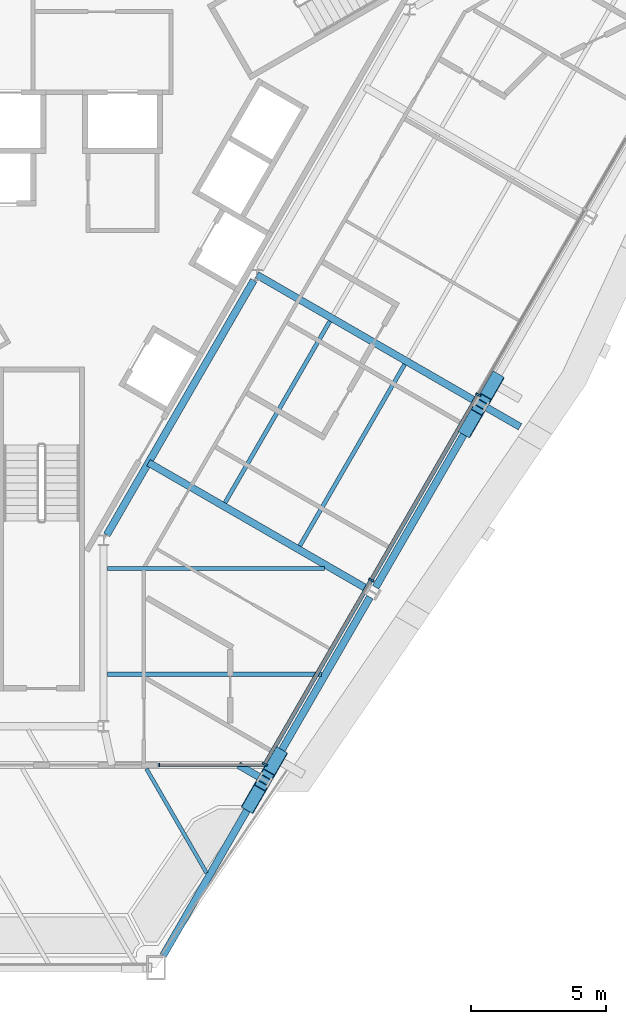
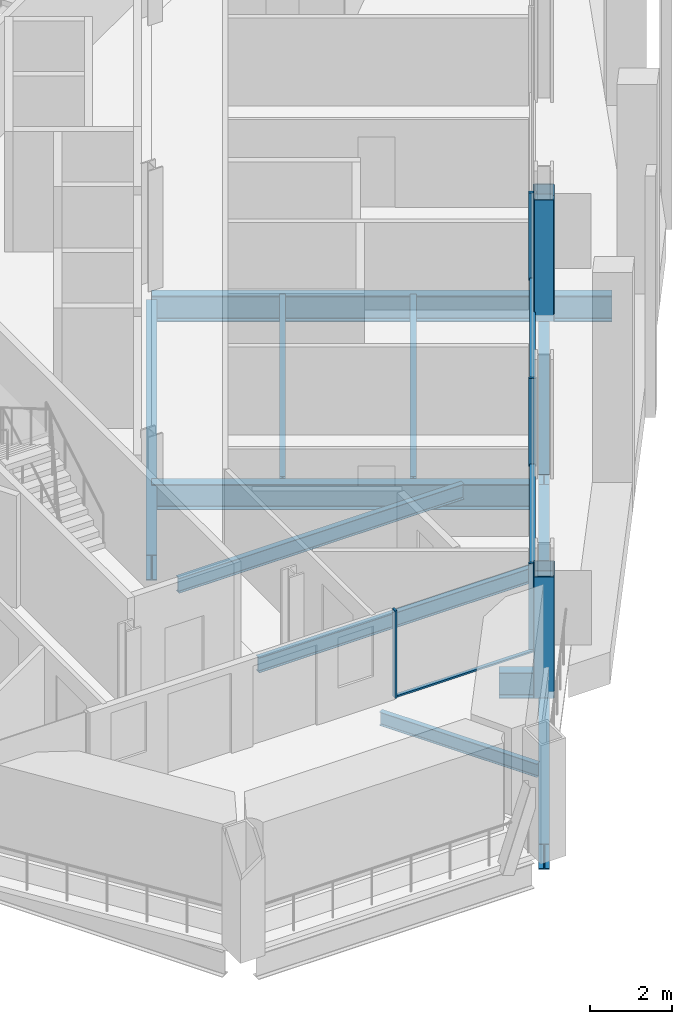
# One storey, part 5 of 16: 13 beams, 11 members, 2 elements without a shape of their own.
"""IFC4 building model written with IfcOpenShell, lengths in metres."""

from ifc_helpers import new_model, si_unit, direction, frame, origin, origin_2d, place, context, subcontext, project, spatial, rectangle, hollow_rectangle, i_section, extrude, material, material_profile, profile_set, type_object, element, aggregate, save


model = new_model("IFC4")

# Units and contexts
model_context = context("Model", 3, precision=1e-05, world=origin(), true_north=direction((0.0, 1.0)))
body_context = subcontext(model_context, "Body", "Model", "MODEL_VIEW")
ifc_project = project(units=[si_unit("LENGTHUNIT", "METRE"), si_unit("AREAUNIT", "SQUARE_METRE"), si_unit("VOLUMEUNIT", "CUBIC_METRE"), si_unit("PLANEANGLEUNIT", "RADIAN"), si_unit("MASSUNIT", "GRAM", prefix="KILO")], contexts=[model_context])

# Site, building, storey
site_placement = place(None, origin())
site = spatial("IfcSite", under=ifc_project, at=site_placement, CompositionType="ELEMENT")
building_placement = place(site_placement, origin())
building = spatial("IfcBuilding", under=site, at=building_placement, Name="Verrane Prism Tower", CompositionType="ELEMENT")
storey_placement = place(building_placement, frame((0.0, 0.0, 114.39990234375)))
storey = spatial("IfcBuildingStorey", under=building, at=storey_placement, Name="L27", CompositionType="ELEMENT", Elevation=114.39990234375)

# Beam
ifc_material_1 = material(Name="Steel A992", Category="steel")
ifc_material_profile_1 = material_profile(ifc_material_1, i_section(OverallWidth=0.2666015625, OverallDepth=0.7568359375, WebThickness=0.013916015625, FlangeThickness=0.019287109375, FilletRadius=0.0166015625, at=origin_2d()), Name="W30x108")
ifc_profile_set_1 = profile_set([ifc_material_profile_1], Name="Steel A992")
beam_type_1 = type_object("IfcBeamType", Name="Core ring girder W30x108", PredefinedType="BEAM", material=ifc_profile_set_1)
beam_1_placement = place(storey_placement, frame((2.4150390625, -14.220703125, -0.62841796875), z_axis=(0.500034555306, 0.86600545235, 0.0), x_axis=(-0.86600545235, 0.500034555306, 0.0)))
element("IfcBeam", 1, at=beam_1_placement, inside=storey, type_object=beam_type_1, Name="Core ring girder L27", PredefinedType="BEAM", context=body_context, shape_type="SweptSolid", body=[
    extrude(i_section(OverallWidth=0.2666015625, OverallDepth=0.7568359375, WebThickness=0.013916015625, FlangeThickness=0.019287109375, FilletRadius=0.0166015625, at=origin_2d()), origin(), (0.0, 0.0, 1.0), 10.879150390625),
])

# Members
ifc_material_2 = material(Name="Steel A1085 Grade A", Category="steel")
ifc_material_profile_2 = material_profile(ifc_material_2, hollow_rectangle(XDim=0.508056640625, YDim=0.508056640625, WallThickness=0.025390625, InnerFilletRadius=0.0126953125, OuterFilletRadius=0.0380859375, at=origin_2d()), Name="HSS20x20x1")
ifc_profile_set_2 = profile_set([ifc_material_profile_2], Name="Steel A1085 Grade A")
member_type_1 = type_object("IfcMemberType", Name="Facade brace HSS20x20x1", PredefinedType="BRACE", material=ifc_profile_set_2)
for number, where, z_axis, x_axis, name in (
    (2, (7.72412109375, -24.201171875, -0.242431640625), (0.151679099417, 0.262769123058, 0.952861920095), (-0.866069249885, 0.499924048634, 0.0), "Facade brace SE0 L27"),
    (3, (8.77587890625, -22.37890625, -0.242431640625), (-0.151679099417, -0.262769123058, 0.952861920095), (0.866069249885, -0.499924048634, 0.0), "Facade brace SE1 L27"),
):
    element("IfcMember", number, at=place(storey_placement, frame(where, z_axis=z_axis, x_axis=x_axis)), inside=storey, type_object=member_type_1, Name=name, PredefinedType="BRACE", context=body_context, shape_type="SweptSolid", body=[
        extrude(hollow_rectangle(XDim=0.508056640625, YDim=0.508056640625, WallThickness=0.025390625, InnerFilletRadius=0.0126953125, OuterFilletRadius=0.0380859375, at=origin_2d()), origin(), (0.0, 0.0, 1.0), 3.109619140625),
    ])
member_1_placement = place(storey_placement, frame((15.744140625, -10.30126953125, -0.242431640625), z_axis=(0.151675969952, 0.262842208798, 0.95284226051), x_axis=(-0.866133898465, 0.499812034598, 0.0)))
element("IfcMember", 4, at=member_1_placement, inside=storey, type_object=member_type_1, Name="Facade brace SE2 L27", PredefinedType="BRACE", context=body_context, shape_type="SweptSolid", body=[
    extrude(hollow_rectangle(XDim=0.508056640625, YDim=0.508056640625, WallThickness=0.025390625, InnerFilletRadius=0.0126953125, OuterFilletRadius=0.0380859375, at=origin_2d()), origin(), (0.0, 0.0, 1.0), 3.10986328125),
])
member_2_placement = place(storey_placement, frame((16.7958984375, -8.47998046875, -0.242431640625), z_axis=(-0.151691609864, -0.262476734873, 0.952940511862), x_axis=(0.865810220422, -0.500372523439, 0.0)))
element("IfcMember", 5, at=member_2_placement, inside=storey, type_object=member_type_1, Name="Facade brace SE3 L27", PredefinedType="BRACE", context=body_context, shape_type="SweptSolid", body=[
    extrude(hollow_rectangle(XDim=0.508056640625, YDim=0.508056640625, WallThickness=0.025390625, InnerFilletRadius=0.0126953125, OuterFilletRadius=0.0380859375, at=origin_2d()), origin(), (0.0, 0.0, 1.0), 3.109375),
])

# Beams
ifc_material_3 = material(Name="Steel A992", Category="steel")
ifc_material_profile_3 = material_profile(ifc_material_3, i_section(OverallWidth=0.140380859375, OverallDepth=0.40380859375, WebThickness=0.007080078125, FlangeThickness=0.01123046875, FilletRadius=0.01025390625, at=origin_2d()), Name="W16x31")
ifc_profile_set_3 = profile_set([ifc_material_profile_3], Name="Steel A992")
beam_type_2 = type_object("IfcBeamType", Name="Floor beam W16x31", PredefinedType="BEAM", material=ifc_profile_set_3)
beam_2_placement = place(storey_placement, frame((6.11083984375, -26.73046875, -0.36181640625), z_axis=(-0.500041952917, 0.866001180902, 0.0), x_axis=(-0.866001180902, -0.500041952917, 0.0)))
element("IfcBeam", 6, at=beam_2_placement, inside=storey, type_object=beam_type_2, Name="Floor beam L27", PredefinedType="BEAM", context=body_context, shape_type="SweptSolid", body=[
    extrude(i_section(OverallWidth=0.140380859375, OverallDepth=0.40380859375, WebThickness=0.007080078125, FlangeThickness=0.01123046875, FilletRadius=0.01025390625, at=origin_2d()), origin(), (0.0, 0.0, 1.0), 4.45361328125),
])
ifc_material_4 = material(Name="Steel A992", Category="steel")
ifc_material_profile_4 = material_profile(ifc_material_4, i_section(OverallWidth=0.15234375, OverallDepth=0.449462890625, WebThickness=0.007568359375, FlangeThickness=0.0107421875, FilletRadius=0.01025390625, at=origin_2d()), Name="W18x35")
ifc_profile_set_4 = profile_set([ifc_material_profile_4], Name="Steel A992")
beam_type_3 = type_object("IfcBeamType", Name="Floor beam W18x35", PredefinedType="BEAM", material=ifc_profile_set_4)
beam_3_placement = place(storey_placement, frame((2.43359375, -19.376708984375, -0.384765625), z_axis=(1.0, 0.0, 0.0), x_axis=(0.0, 1.0, 0.0)))
element("IfcBeam", 7, at=beam_3_placement, inside=storey, type_object=beam_type_3, Name="Floor beam L27", PredefinedType="BEAM", context=body_context, shape_type="SweptSolid", body=[
    extrude(i_section(OverallWidth=0.15234375, OverallDepth=0.449462890625, WebThickness=0.007568359375, FlangeThickness=0.0107421875, FilletRadius=0.01025390625, at=origin_2d()), origin(), (0.0, 0.0, 1.0), 7.920166015625),
])
beam_4_placement = place(storey_placement, frame((2.43359375, -15.46337890625, -0.384765625), z_axis=(1.0, 0.0, 0.0), x_axis=(0.0, 1.0, 0.0)))
element("IfcBeam", 8, at=beam_4_placement, inside=storey, type_object=beam_type_3, Name="Floor beam L27", PredefinedType="BEAM", context=body_context, shape_type="SweptSolid", body=[
    extrude(i_section(OverallWidth=0.15234375, OverallDepth=0.449462890625, WebThickness=0.007568359375, FlangeThickness=0.0107421875, FilletRadius=0.01025390625, at=origin_2d()), origin(), (0.0, 0.0, 1.0), 8.040283203125),
])
for number, where, z_axis, x_axis, name in (
    (9, (9.559326171875, -14.627197265625, -0.384765625), (0.500028499731, 0.866008948832, 0.0), (-0.866008948832, 0.500028499731, 0.0), "Floor beam L27"),
    (10, (6.7919921875, -13.0302734375, -0.384765625), (0.500028499731, 0.866008948832, 0.0), (-0.866008948832, 0.500028499731, 0.0), "Floor beam L27"),
):
    element("IfcBeam", number, at=place(storey_placement, frame(where, z_axis=z_axis, x_axis=x_axis)), inside=storey, type_object=beam_type_3, Name=name, PredefinedType="BEAM", context=body_context, shape_type="SweptSolid", body=[
        extrude(i_section(OverallWidth=0.15234375, OverallDepth=0.449462890625, WebThickness=0.007568359375, FlangeThickness=0.0107421875, FilletRadius=0.01025390625, at=origin_2d()), origin(), (0.0, 0.0, 1.0), 7.7568359375),
    ])

# Curtain wall, member
ifc_material_5 = material(Name="Aluminium framed insulated glazing", Category="aluminium")
curtain_wall_type_1 = type_object("IfcCurtainWallType", Name="Curtain wall CW-C 4200 module", PredefinedType="NOTDEFINED", material=ifc_material_5)
curtain_wall_1_placement = place(storey_placement, origin())
curtain_wall_1 = element("IfcCurtainWall", 11, at=curtain_wall_1_placement, inside=storey, type_object=curtain_wall_type_1, Name="Glazed curtain wall garden cut line L27 2", PredefinedType="NOTDEFINED")
ifc_material_6 = material(Name="Aluminium alloy 6063-T6", Category="aluminium")
ifc_material_profile_5 = material_profile(ifc_material_6, rectangle(XDim=0.139892578125, YDim=0.050048828125, at=origin_2d()), Name="Mullion 50x140 aluminium")
ifc_profile_set_5 = profile_set([ifc_material_profile_5], Name="Aluminium alloy 6063-T6")
member_type_2 = type_object("IfcMemberType", Name="Mullion 50x140 aluminium", PredefinedType="MULLION", material=ifc_profile_set_5)
member_3_placement = place(storey_placement, frame((4.35498046875, -22.73779296875, 0.0), z_axis=(0.0, 0.0, 1.0), x_axis=(0.0, 1.0, 0.0)))
member_3 = element("IfcMember", 12, at=member_3_placement, type_object=member_type_2, Name="CW27.5.2 mullion 1", PredefinedType="MULLION", context=body_context, shape_type="SweptSolid", body=[
    extrude(rectangle(XDim=0.139892578125, YDim=0.050048828125, at=origin_2d()), origin(), (0.0, 0.0, 1.0), 2.613037109375),
])

# Curtain wall, members
ifc_material_7 = material(Name="Aluminium framed insulated glazing", Category="aluminium")
curtain_wall_type_2 = type_object("IfcCurtainWallType", Name="Curtain wall CW-A 8400 module", PredefinedType="NOTDEFINED", material=ifc_material_7)
curtain_wall_2_placement = place(storey_placement, origin())
curtain_wall_2 = element("IfcCurtainWall", 13, at=curtain_wall_2_placement, inside=storey, type_object=curtain_wall_type_2, Name="Glazed curtain wall south-east face L27", PredefinedType="NOTDEFINED")
ifc_material_8 = material(Name="Aluminium alloy 6063-T6", Category="aluminium")
ifc_material_profile_6 = material_profile(ifc_material_8, rectangle(XDim=0.199951171875, YDim=0.070068359375, at=origin_2d()), Name="Mullion 70x200 aluminium")
ifc_profile_set_6 = profile_set([ifc_material_profile_6], Name="Aluminium alloy 6063-T6")
member_type_3 = type_object("IfcMemberType", Name="Mullion 70x200 aluminium", PredefinedType="MULLION", material=ifc_profile_set_6)
member_4_placement = place(storey_placement, frame((8.264404296875, -22.70751953125, 0.0), z_axis=(0.0, 0.0, 1.0), x_axis=(-0.866026054504, 0.49999887292, 0.0)))
member_4 = element("IfcMember", 14, at=member_4_placement, type_object=member_type_3, Name="CW27.6 mullion 1", PredefinedType="MULLION", context=body_context, shape_type="SweptSolid", body=[
    extrude(rectangle(XDim=0.199951171875, YDim=0.070068359375, at=origin_2d()), origin(), (0.0, 0.0, 1.0), 2.613037109375),
])
member_5_placement = place(storey_placement, frame((12.203125, -15.885498046875, 0.0), z_axis=(0.0, 0.0, 1.0), x_axis=(-0.866026054504, 0.49999887292, 0.0)))
member_5 = element("IfcMember", 15, at=member_5_placement, type_object=member_type_3, Name="CW27.6 mullion 2", PredefinedType="MULLION", context=body_context, shape_type="SweptSolid", body=[
    extrude(rectangle(XDim=0.199951171875, YDim=0.070068359375, at=origin_2d()), origin(), (0.0, 0.0, 1.0), 2.613037109375),
])
member_6_placement = place(storey_placement, frame((16.159423828125, -9.032958984375, 0.0), z_axis=(0.0, 0.0, 1.0), x_axis=(-0.866026054504, 0.49999887292, 0.0)))
member_6 = element("IfcMember", 16, at=member_6_placement, type_object=member_type_3, Name="CW27.6 mullion 3", PredefinedType="MULLION", context=body_context, shape_type="SweptSolid", body=[
    extrude(rectangle(XDim=0.199951171875, YDim=0.070068359375, at=origin_2d()), origin(), (0.0, 0.0, 1.0), 2.613037109375),
])

# Beams
ifc_material_9 = material(Name="Steel A992", Category="steel")
ifc_material_profile_7 = material_profile(ifc_material_9, i_section(OverallWidth=0.2666015625, OverallDepth=0.76708984375, WebThickness=0.014892578125, FlangeThickness=0.023681640625, FilletRadius=0.0166015625, at=origin_2d()), Name="W30x124")
ifc_profile_set_7 = profile_set([ifc_material_profile_7], Name="Steel A992")
beam_type_4 = type_object("IfcBeamType", Name="Radial girder W30x124", PredefinedType="BEAM", material=ifc_profile_set_7)
beam_5_placement = place(storey_placement, frame((8.044189453125, -23.17138671875, -0.603515625), z_axis=(-0.865875918815, 0.500258826225, 0.0), x_axis=(-0.500258826225, -0.865875918815, 0.0)))
element("IfcBeam", 17, at=beam_5_placement, inside=storey, type_object=beam_type_4, Name="Radial girder L27", PredefinedType="BEAM", context=body_context, shape_type="SweptSolid", body=[
    extrude(i_section(OverallWidth=0.2666015625, OverallDepth=0.76708984375, WebThickness=0.014892578125, FlangeThickness=0.023681640625, FilletRadius=0.0166015625, at=origin_2d()), origin(), (0.0, 0.0, 1.0), 0.86669921875),
])
beam_6_placement = place(storey_placement, frame((12.05419921875, -16.22119140625, -0.603515625), z_axis=(-0.866018138487, 0.500012583653, 0.0), x_axis=(-0.500012583653, -0.866018138487, 0.0)))
element("IfcBeam", 18, at=beam_6_placement, inside=storey, type_object=beam_type_4, Name="Radial girder L27", PredefinedType="BEAM", context=body_context, shape_type="SweptSolid", body=[
    extrude(i_section(OverallWidth=0.2666015625, OverallDepth=0.76708984375, WebThickness=0.014892578125, FlangeThickness=0.023681640625, FilletRadius=0.0166015625, at=origin_2d()), origin(), (0.0, 0.0, 1.0), 9.347900390625),
])
beam_7_placement = place(storey_placement, frame((16.064208984375, -9.271240234375, -0.603515625), z_axis=(-0.866015917575, 0.500016430238, 0.0), x_axis=(-0.500016430238, -0.866015917575, 0.0)))
element("IfcBeam", 19, at=beam_7_placement, inside=storey, type_object=beam_type_4, Name="Radial girder L27", PredefinedType="BEAM", context=body_context, shape_type="SweptSolid", body=[
    extrude(i_section(OverallWidth=0.2666015625, OverallDepth=0.76708984375, WebThickness=0.014892578125, FlangeThickness=0.023681640625, FilletRadius=0.0166015625, at=origin_2d()), origin(), (0.0, 0.0, 1.0), 9.345458984375),
])
beam_8_placement = place(storey_placement, frame((16.47216796875, -9.506591796875, -0.603515625), z_axis=(0.866000213925, -0.500043627578, 0.0), x_axis=(0.500043627578, 0.866000213925, 0.0)))
element("IfcBeam", 20, at=beam_8_placement, inside=storey, type_object=beam_type_4, Name="Cantilever girder L27", PredefinedType="BEAM", context=body_context, shape_type="SweptSolid", body=[
    extrude(i_section(OverallWidth=0.2666015625, OverallDepth=0.76708984375, WebThickness=0.014892578125, FlangeThickness=0.023681640625, FilletRadius=0.0166015625, at=origin_2d()), origin(), (0.0, 0.0, 1.0), 1.425537109375),
])
ifc_material_10 = material(Name="Steel A992", Category="steel")
ifc_material_profile_8 = material_profile(ifc_material_10, i_section(OverallWidth=0.2666015625, OverallDepth=0.7568359375, WebThickness=0.013916015625, FlangeThickness=0.019287109375, FilletRadius=0.0166015625, at=origin_2d()), Name="W30x108")
ifc_profile_set_8 = profile_set([ifc_material_profile_8], Name="Steel A992")
beam_type_5 = type_object("IfcBeamType", Name="Spandrel beam W30x108", PredefinedType="SPANDREL", material=ifc_profile_set_8)
beam_9_placement = place(storey_placement, frame((4.49951171875, -29.7900390625, -0.538330078125), z_axis=(0.499768824934, 0.866158831638, 0.0), x_axis=(-0.866158831638, 0.499768824934, 0.0)))
element("IfcBeam", 21, at=beam_9_placement, inside=storey, type_object=beam_type_5, Name="Spandrel beam L27", PredefinedType="SPANDREL", context=body_context, shape_type="SweptSolid", body=[
    extrude(i_section(OverallWidth=0.2666015625, OverallDepth=0.7568359375, WebThickness=0.013916015625, FlangeThickness=0.019287109375, FilletRadius=0.0166015625, at=origin_2d()), origin(), (0.0, 0.0, 1.0), 7.29248046875),
])
for number, where, z_axis, x_axis, name in (
    (22, (8.35595703125, -23.106201171875, -0.538330078125), (0.499770658239, 0.866157773828, 0.0), (-0.866157773828, 0.499770658239, 0.0), "Spandrel beam L27"),
    (23, (12.365966796875, -16.15625, -0.538330078125), (0.499770658239, 0.866157773828, 0.0), (-0.866157773828, 0.499770658239, 0.0), "Spandrel beam L27"),
):
    element("IfcBeam", number, at=place(storey_placement, frame(where, z_axis=z_axis, x_axis=x_axis)), inside=storey, type_object=beam_type_5, Name=name, PredefinedType="SPANDREL", context=body_context, shape_type="SweptSolid", body=[
        extrude(i_section(OverallWidth=0.2666015625, OverallDepth=0.7568359375, WebThickness=0.013916015625, FlangeThickness=0.019287109375, FilletRadius=0.0166015625, at=origin_2d()), origin(), (0.0, 0.0, 1.0), 7.599609375),
    ])

# Member
ifc_material_11 = material(Name="Aluminium alloy 6063-T6", Category="aluminium")
ifc_material_profile_9 = material_profile(ifc_material_11, rectangle(XDim=0.10009765625, YDim=0.050048828125, at=origin_2d()), Name="Transom 50x100 aluminium")
ifc_profile_set_9 = profile_set([ifc_material_profile_9], Name="Aluminium alloy 6063-T6")
member_type_4 = type_object("IfcMemberType", Name="Transom 50x100 aluminium", PredefinedType="USERDEFINED", material=ifc_profile_set_9)
member_7_placement = place(storey_placement, frame((4.3798828125, -22.73779296875, 0.025146484375), z_axis=(1.0, 0.0, 0.0), x_axis=(0.0, 1.0, 0.0)))
member_7 = element("IfcMember", 24, at=member_7_placement, type_object=member_type_4, Name="CW27.5.2 transom 1", ObjectType="TRANSOM", PredefinedType="USERDEFINED", context=body_context, shape_type="SweptSolid", body=[
    extrude(rectangle(XDim=0.10009765625, YDim=0.050048828125, at=origin_2d()), origin(), (0.0, 0.0, 1.0), 3.8671875),
])

aggregate(curtain_wall_1, [member_3, member_7])

ifc_material_12 = material(Name="Aluminium alloy 6063-T6", Category="aluminium")
ifc_material_profile_10 = material_profile(ifc_material_12, rectangle(XDim=0.14990234375, YDim=0.070068359375, at=origin_2d()), Name="Transom 70x150 aluminium")
ifc_profile_set_10 = profile_set([ifc_material_profile_10], Name="Aluminium alloy 6063-T6")
member_type_5 = type_object("IfcMemberType", Name="Transom 70x150 aluminium", PredefinedType="USERDEFINED", material=ifc_profile_set_10)
member_8_placement = place(storey_placement, frame((8.281982421875, -22.67724609375, 0.03515625), z_axis=(0.5000066674, 0.866021554325, 0.0), x_axis=(-0.866021554325, 0.5000066674, 0.0)))
member_8 = element("IfcMember", 25, at=member_8_placement, type_object=member_type_5, Name="CW27.6 transom 1", ObjectType="TRANSOM", PredefinedType="USERDEFINED", context=body_context, shape_type="SweptSolid", body=[
    extrude(rectangle(XDim=0.14990234375, YDim=0.070068359375, at=origin_2d()), origin(), (0.0, 0.0, 1.0), 7.8076171875),
])

member_9_placement = place(storey_placement, frame((12.220703125, -15.855224609375, 0.03515625), z_axis=(0.499992828865, 0.866029544001, 0.0), x_axis=(-0.866029544001, 0.499992828865, 0.0)))
member_9 = element("IfcMember", 26, at=member_9_placement, type_object=member_type_5, Name="CW27.6 transom 2", ObjectType="TRANSOM", PredefinedType="USERDEFINED", context=body_context, shape_type="SweptSolid", body=[
    extrude(rectangle(XDim=0.14990234375, YDim=0.070068359375, at=origin_2d()), origin(), (0.0, 0.0, 1.0), 7.84228515625),
])

aggregate(curtain_wall_2, [member_4, member_5, member_6, member_8, member_9])

save(model, "model.ifc")
